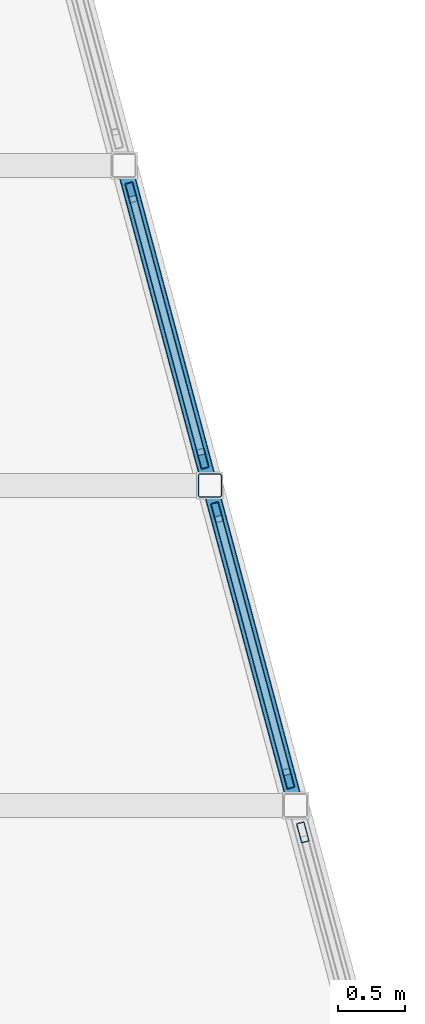
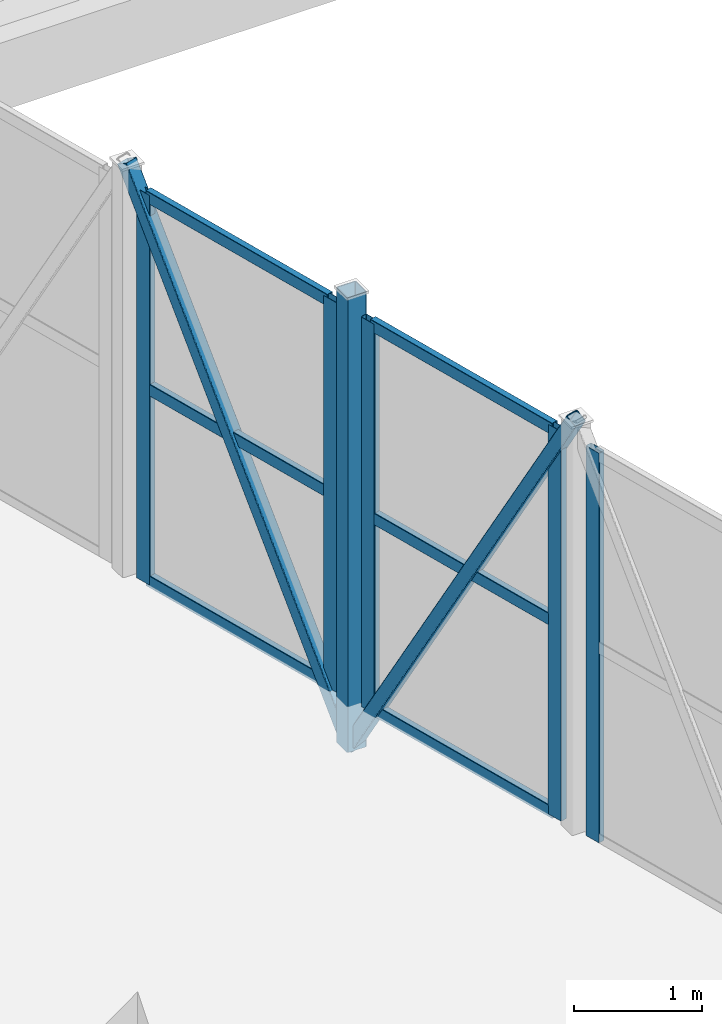
# One storey, part 46 of 127: 14 members, 3 elements without a shape of their own.
"""IFC4 building model written with IfcOpenShell, lengths in metres."""

from ifc_helpers import new_model, si_unit, direction, frame, origin, origin_2d, place, context, subcontext, project, spatial, hollow_rectangle, extrude, material, layer, layer_set, material_profile, profile_set, type_object, element, aggregate, save


model = new_model("IFC4")

# Units and contexts
model_context = context("Model", 3, precision=1e-05, world=origin(), true_north=direction((0.0, 1.0)))
body_context = subcontext(model_context, "Body", "Model", "MODEL_VIEW")
ifc_project = project(units=[si_unit("LENGTHUNIT", "METRE"), si_unit("AREAUNIT", "SQUARE_METRE"), si_unit("VOLUMEUNIT", "CUBIC_METRE"), si_unit("PLANEANGLEUNIT", "RADIAN"), si_unit("MASSUNIT", "GRAM", prefix="KILO")], contexts=[model_context])

# Site, building, storey
site_placement = place(None, origin())
site = spatial("IfcSite", under=ifc_project, at=site_placement, CompositionType="ELEMENT")
building_placement = place(site_placement, origin())
building = spatial("IfcBuilding", under=site, at=building_placement, Name="Dunvalen Ferry Terminal", CompositionType="ELEMENT")
storey_placement = place(building_placement, frame((0.0, 0.0, 5.760009765625)))
storey = spatial("IfcBuildingStorey", under=building, at=storey_placement, Name="L01", CompositionType="ELEMENT", Elevation=5.760009765625)

# Curtain wall, member
ifc_material_1 = material(Name="Anodised marine aluminium and solar-control glazing", Category="aluminium")
ifc_layer = layer(ifc_material_1, 0.159912109375, Name="Anodised marine aluminium and solar-control glazing")
ifc_layer_set = layer_set([ifc_layer], Name="Anodised marine aluminium and solar-control glazing")
curtain_wall_type = type_object("IfcCurtainWallType", Name="ENV-CW-SYS-07", PredefinedType="NOTDEFINED", material=ifc_layer_set)
curtain_wall_1_placement = place(storey_placement, origin())
curtain_wall_1 = element("IfcCurtainWall", 1, at=curtain_wall_1_placement, inside=storey, type_object=curtain_wall_type, Name="L01 Curtain Wall CW-BRG1-S2-1", PredefinedType="NOTDEFINED")
ifc_material_2 = material(Name="Anodised marine aluminium EN AW-6063 T6", Category="aluminium")
ifc_material_profile_1 = material_profile(ifc_material_2, hollow_rectangle(XDim=0.06005859375, YDim=0.14990234375, WallThickness=0.00341796875, InnerFilletRadius=0.00341796875, OuterFilletRadius=0.007080078125, at=origin_2d()), Name="Anodised marine aluminium EN AW-6063 T6")
ifc_profile_set_1 = profile_set([ifc_material_profile_1], Name="Anodised marine aluminium EN AW-6063 T6")
member_type_1 = type_object("IfcMemberType", Name="ENV-CW-MUL-3", PredefinedType="MULLION", material=ifc_profile_set_1)
member_1_placement = place(storey_placement, frame((41.410888671875, 88.59814453125, 0.0), z_axis=(0.0, 0.0, 1.0), x_axis=(-0.965919306501, -0.258843376057, 0.0)))
member_1 = element("IfcMember", 2, at=member_1_placement, type_object=member_type_1, Name="CW-07 mullion 2", PredefinedType="MULLION", context=body_context, shape_type="SweptSolid", body=[
    extrude(hollow_rectangle(XDim=0.06005859375, YDim=0.14990234375, WallThickness=0.00341796875, InnerFilletRadius=0.00341796875, OuterFilletRadius=0.007080078125, at=origin_2d()), origin(), (0.0, 0.0, 1.0), 3.719970703125),
])
aggregate(curtain_wall_1, [member_1])

# Curtain wall, members
curtain_wall_2_placement = place(storey_placement, origin())
curtain_wall_2 = element("IfcCurtainWall", 3, at=curtain_wall_2_placement, inside=storey, type_object=curtain_wall_type, Name="L01 Curtain Wall CW-BRG1-S2-2", PredefinedType="NOTDEFINED")
member_2_placement = place(storey_placement, frame((41.302734375, 89.001708984375, 0.0), z_axis=(0.0, 0.0, 1.0), x_axis=(-0.9659228666, -0.258830090561, 0.0)))
member_2 = element("IfcMember", 4, at=member_2_placement, type_object=member_type_1, Name="CW-07 mullion 1", PredefinedType="MULLION", context=body_context, shape_type="SweptSolid", body=[
    extrude(hollow_rectangle(XDim=0.06005859375, YDim=0.14990234375, WallThickness=0.00341796875, InnerFilletRadius=0.00341796875, OuterFilletRadius=0.007080078125, at=origin_2d()), origin(), (0.0, 0.0, 1.0), 3.719970703125),
])
member_3_placement = place(storey_placement, frame((40.767822265625, 90.998291015625, 0.0), z_axis=(0.0, 0.0, 1.0), x_axis=(-0.9659228666, -0.258830090561, 0.0)))
member_3 = element("IfcMember", 5, at=member_3_placement, type_object=member_type_1, Name="CW-07 mullion 2", PredefinedType="MULLION", context=body_context, shape_type="SweptSolid", body=[
    extrude(hollow_rectangle(XDim=0.06005859375, YDim=0.14990234375, WallThickness=0.00341796875, InnerFilletRadius=0.00341796875, OuterFilletRadius=0.007080078125, at=origin_2d()), origin(), (0.0, 0.0, 1.0), 3.719970703125),
])

curtain_wall_3_placement = place(storey_placement, origin())
curtain_wall_3 = element("IfcCurtainWall", 6, at=curtain_wall_3_placement, inside=storey, type_object=curtain_wall_type, Name="L01 Curtain Wall CW-BRG1-S2-3", PredefinedType="NOTDEFINED")
member_4_placement = place(storey_placement, frame((40.65966796875, 91.40185546875, 0.0), z_axis=(0.0, 0.0, 1.0), x_axis=(-0.965934620531, -0.258786222315, 0.0)))
member_4 = element("IfcMember", 7, at=member_4_placement, type_object=member_type_1, Name="CW-07 mullion 1", PredefinedType="MULLION", context=body_context, shape_type="SweptSolid", body=[
    extrude(hollow_rectangle(XDim=0.06005859375, YDim=0.14990234375, WallThickness=0.00341796875, InnerFilletRadius=0.00341796875, OuterFilletRadius=0.007080078125, at=origin_2d()), origin(), (0.0, 0.0, 1.0), 3.719970703125),
])
member_5_placement = place(storey_placement, frame((40.124755859375, 93.398193359375, 0.0), z_axis=(0.0, 0.0, 1.0), x_axis=(-0.965934620531, -0.258786222315, 0.0)))
member_5 = element("IfcMember", 8, at=member_5_placement, type_object=member_type_1, Name="CW-07 mullion 2", PredefinedType="MULLION", context=body_context, shape_type="SweptSolid", body=[
    extrude(hollow_rectangle(XDim=0.06005859375, YDim=0.14990234375, WallThickness=0.00341796875, InnerFilletRadius=0.00341796875, OuterFilletRadius=0.007080078125, at=origin_2d()), origin(), (0.0, 0.0, 1.0), 3.719970703125),
])

# Member
ifc_material_profile_2 = material_profile(ifc_material_2, hollow_rectangle(XDim=0.06005859375, YDim=0.114990234375, WallThickness=0.0029296875, InnerFilletRadius=0.0029296875, OuterFilletRadius=0.006103515625, at=origin_2d()), Name="Anodised marine aluminium EN AW-6063 T6")
ifc_profile_set_2 = profile_set([ifc_material_profile_2], Name="Anodised marine aluminium EN AW-6063 T6")
member_type_2 = type_object("IfcMemberType", Name="ENV-CW-TRN-3", PredefinedType="USERDEFINED", material=ifc_profile_set_2)
member_6_placement = place(storey_placement, frame((41.295166015625, 89.03076171875, 0.030029296875), z_axis=(-0.258873913014, 0.965911122806, 0.0), x_axis=(-0.965911122806, -0.258873913014, 0.0)))
member_6 = element("IfcMember", 9, at=member_6_placement, type_object=member_type_2, Name="CW-07 transom 1.1", ObjectType="TRANSOM", PredefinedType="USERDEFINED", context=body_context, shape_type="SweptSolid", body=[
    extrude(hollow_rectangle(XDim=0.06005859375, YDim=0.114990234375, WallThickness=0.0029296875, InnerFilletRadius=0.0029296875, OuterFilletRadius=0.006103515625, at=origin_2d()), origin(), (0.0, 0.0, 1.0), 2.0068359375),
])

member_7_placement = place(storey_placement, frame((41.295166015625, 89.03076171875, 1.860107421875), z_axis=(-0.258873913014, 0.965911122806, 0.0), x_axis=(-0.965911122806, -0.258873913014, 0.0)))
member_7 = element("IfcMember", 10, at=member_7_placement, type_object=member_type_2, Name="CW-07 transom 1.2", ObjectType="TRANSOM", PredefinedType="USERDEFINED", context=body_context, shape_type="SweptSolid", body=[
    extrude(hollow_rectangle(XDim=0.06005859375, YDim=0.114990234375, WallThickness=0.0029296875, InnerFilletRadius=0.0029296875, OuterFilletRadius=0.006103515625, at=origin_2d()), origin(), (0.0, 0.0, 1.0), 2.0068359375),
])

member_8_placement = place(storey_placement, frame((41.295166015625, 89.03076171875, 3.68994140625), z_axis=(-0.258873913014, 0.965911122806, 0.0), x_axis=(-0.965911122806, -0.258873913014, 0.0)))
member_8 = element("IfcMember", 11, at=member_8_placement, type_object=member_type_2, Name="CW-07 transom 1.3", ObjectType="TRANSOM", PredefinedType="USERDEFINED", context=body_context, shape_type="SweptSolid", body=[
    extrude(hollow_rectangle(XDim=0.06005859375, YDim=0.114990234375, WallThickness=0.0029296875, InnerFilletRadius=0.0029296875, OuterFilletRadius=0.006103515625, at=origin_2d()), origin(), (0.0, 0.0, 1.0), 2.0068359375),
])

aggregate(curtain_wall_2, [member_2, member_3, member_6, member_7, member_8])

member_9_placement = place(storey_placement, frame((40.65185546875, 91.4306640625, 0.030029296875), z_axis=(-0.258760408924, 0.965941535898, 0.0), x_axis=(-0.965941535898, -0.258760408924, 0.0)))
member_9 = element("IfcMember", 12, at=member_9_placement, type_object=member_type_2, Name="CW-07 transom 1.1", ObjectType="TRANSOM", PredefinedType="USERDEFINED", context=body_context, shape_type="SweptSolid", body=[
    extrude(hollow_rectangle(XDim=0.06005859375, YDim=0.114990234375, WallThickness=0.0029296875, InnerFilletRadius=0.0029296875, OuterFilletRadius=0.006103515625, at=origin_2d()), origin(), (0.0, 0.0, 1.0), 2.0068359375),
])

member_10_placement = place(storey_placement, frame((40.65185546875, 91.4306640625, 1.860107421875), z_axis=(-0.258760408924, 0.965941535898, 0.0), x_axis=(-0.965941535898, -0.258760408924, 0.0)))
member_10 = element("IfcMember", 13, at=member_10_placement, type_object=member_type_2, Name="CW-07 transom 1.2", ObjectType="TRANSOM", PredefinedType="USERDEFINED", context=body_context, shape_type="SweptSolid", body=[
    extrude(hollow_rectangle(XDim=0.06005859375, YDim=0.114990234375, WallThickness=0.0029296875, InnerFilletRadius=0.0029296875, OuterFilletRadius=0.006103515625, at=origin_2d()), origin(), (0.0, 0.0, 1.0), 2.0068359375),
])

member_11_placement = place(storey_placement, frame((40.65185546875, 91.4306640625, 3.68994140625), z_axis=(-0.258760408924, 0.965941535898, 0.0), x_axis=(-0.965941535898, -0.258760408924, 0.0)))
member_11 = element("IfcMember", 14, at=member_11_placement, type_object=member_type_2, Name="CW-07 transom 1.3", ObjectType="TRANSOM", PredefinedType="USERDEFINED", context=body_context, shape_type="SweptSolid", body=[
    extrude(hollow_rectangle(XDim=0.06005859375, YDim=0.114990234375, WallThickness=0.0029296875, InnerFilletRadius=0.0029296875, OuterFilletRadius=0.006103515625, at=origin_2d()), origin(), (0.0, 0.0, 1.0), 2.0068359375),
])

aggregate(curtain_wall_3, [member_4, member_5, member_9, member_10, member_11])

# Members
ifc_material_3 = material(Name="Steel S355", Category="steel")
ifc_material_profile_3 = material_profile(ifc_material_3, hollow_rectangle(XDim=0.1201171875, YDim=0.1201171875, WallThickness=0.00634765625, InnerFilletRadius=0.00634765625, OuterFilletRadius=0.0126953125, at=origin_2d()), Name="Steel S355")
ifc_profile_set_3 = profile_set([ifc_material_profile_3], Name="Steel S355")
member_type_3 = type_object("IfcMemberType", Name="STR-MB-SHS120", PredefinedType="BRACE", material=ifc_profile_set_3)
for number, where, z_axis, x_axis, name in (
    (15, (41.35693359375, 88.800048828125, 3.89990234375), (-0.128594483559, 0.479910316395, -0.867841890563), (-0.965924366126, -0.258824494443, 0.0), "Boarding Bridge 1 Warren Diagonal 2.2"),
    (16, (40.7138671875, 91.199951171875, -0.43994140625), (-0.128591470582, 0.47994789191, 0.867821556972), (-0.965930947833, -0.258799930484, 0.0), "Boarding Bridge 1 Warren Diagonal 2.3"),
):
    element("IfcMember", number, at=place(storey_placement, frame(where, z_axis=z_axis, x_axis=x_axis)), inside=storey, type_object=member_type_3, Name=name, PredefinedType="BRACE", context=body_context, shape_type="SweptSolid", body=[
        extrude(hollow_rectangle(XDim=0.1201171875, YDim=0.1201171875, WallThickness=0.00634765625, InnerFilletRadius=0.00634765625, OuterFilletRadius=0.0126953125, at=origin_2d()), origin(), (0.0, 0.0, 1.0), 5.000732421875),
    ])
ifc_material_profile_4 = material_profile(ifc_material_3, hollow_rectangle(XDim=0.179931640625, YDim=0.179931640625, WallThickness=0.008056640625, InnerFilletRadius=0.008056640625, OuterFilletRadius=0.01611328125, at=origin_2d()), Name="Steel S355")
ifc_profile_set_4 = profile_set([ifc_material_profile_4], Name="Steel S355")
member_type_4 = type_object("IfcMemberType", Name="STR-MB-SHS180", PredefinedType="STRUT", material=ifc_profile_set_4)
member_12_placement = place(storey_placement, frame((40.7138671875, 91.199951171875, -0.43994140625), z_axis=(0.0, 0.0, 1.0), x_axis=(1.0, 0.0, 0.0)))
element("IfcMember", 17, at=member_12_placement, inside=storey, type_object=member_type_4, Name="Boarding Bridge 1 Truss Post 2.2", PredefinedType="STRUT", context=body_context, shape_type="SweptSolid", body=[
    extrude(hollow_rectangle(XDim=0.179931640625, YDim=0.179931640625, WallThickness=0.008056640625, InnerFilletRadius=0.008056640625, OuterFilletRadius=0.01611328125, at=origin_2d()), origin(), (0.0, 0.0, 1.0), 4.33984375),
])

save(model, "model.ifc")
